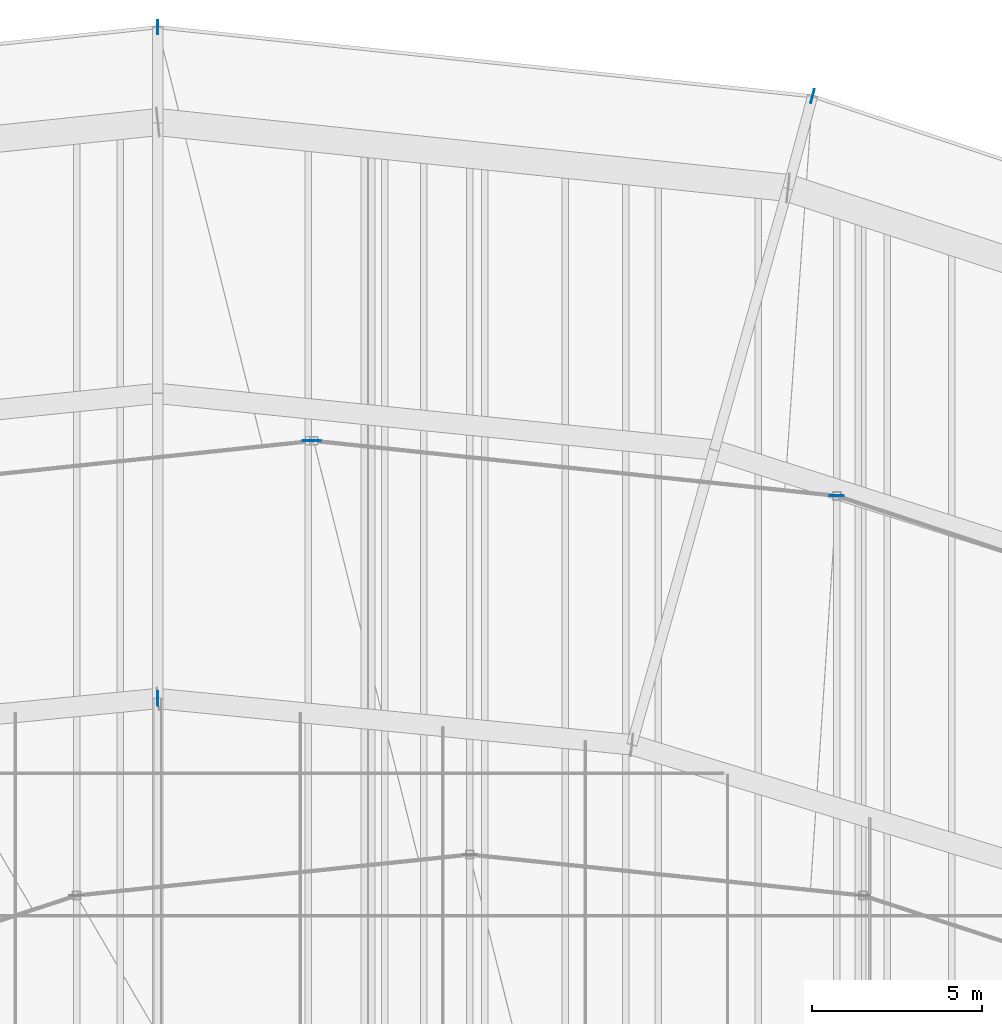
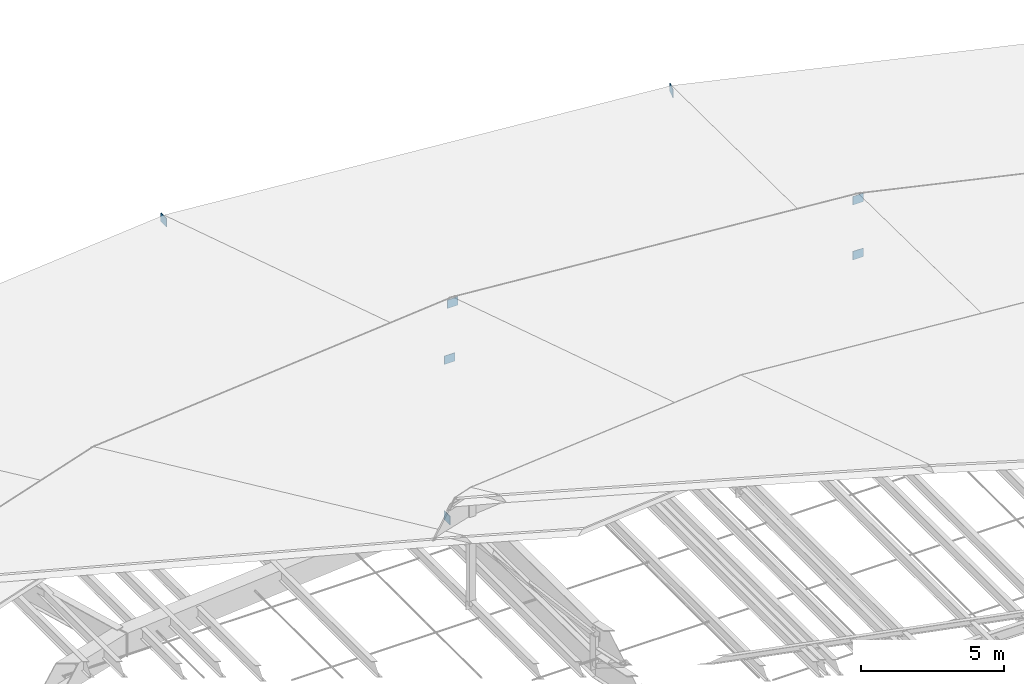
# One storey, part 179 of 184: 7 plates.
"""IFC4 building model written with IfcOpenShell, lengths in metres."""

from ifc_helpers import new_model, si_unit, direction, frame, origin, origin_2d, place, context, subcontext, project, spatial, rectangle, extrude, material, layer, layer_set, type_object, element, save


model = new_model("IFC4")

# Units and contexts
model_context = context("Model", 3, precision=1e-05, world=origin(), true_north=direction((0.0, 1.0)))
body_context = subcontext(model_context, "Body", "Model", "MODEL_VIEW")
ifc_project = project(units=[si_unit("LENGTHUNIT", "METRE"), si_unit("AREAUNIT", "SQUARE_METRE"), si_unit("VOLUMEUNIT", "CUBIC_METRE"), si_unit("PLANEANGLEUNIT", "RADIAN"), si_unit("MASSUNIT", "GRAM", prefix="KILO")], contexts=[model_context])

# Site, building, storey
site_placement = place(None, origin())
site = spatial("IfcSite", under=ifc_project, at=site_placement, CompositionType="ELEMENT")
building_placement = place(site_placement, origin())
building = spatial("IfcBuilding", under=site, at=building_placement, Name="Kalgoora Escarpment Arena", CompositionType="ELEMENT")
storey_placement = place(building_placement, frame((0.0, 0.0, 27.60009765625)))
storey = spatial("IfcBuildingStorey", under=building, at=storey_placement, Name="Roof Level", CompositionType="ELEMENT", Elevation=27.60009765625)

# Plates
ifc_material = material(Name="Structural steel Grade 350 (350 MPa)", Category="steel")
ifc_layer = layer(ifc_material, 0.02490234375)
ifc_layer_set = layer_set([ifc_layer], Name="PLT-GUSSET-25")
plate_type = type_object("IfcPlateType", Name="PLT-GUSSET-25", PredefinedType="USERDEFINED", material=ifc_layer_set)
for number, where, z_axis, x_axis, name in (
    (1, (92.39990234375, 104.0, -1.88037109375), (0.0, 0.0, 1.0), (0.0, -1.0, 0.0), "Brace and post end gusset plate 089"),
    (2, (111.7080078125, 121.762451171875, -1.18017578125), (0.0, 0.0, 1.0), (0.258819045103, 0.965925826289, 0.0), "Brace and post end gusset plate 160"),
    (3, (92.39990234375, 123.800048828125, -1.18017578125), (0.0, 0.0, 1.0), (0.0, 1.0, 0.0), "Brace and post end gusset plate 161"),
    (4, (112.425537109375, 109.97802734375, -1.26025390625), (0.0, 0.0, 1.0), (1.0, 0.0, 0.0), "Brace and post end gusset plate 189"),
    (5, (112.425537109375, 109.97802734375, 1.0849609375), (0.0, 0.0, 1.0), (1.0, 0.0, 0.0), "Brace and post end gusset plate 190"),
    (6, (96.8798828125, 111.60009765625, -1.26025390625), (0.0, 0.0, 1.0), (1.0, 0.0, 0.0), "Brace and post end gusset plate 191"),
    (7, (97.0, 111.60009765625, 1.0849609375), (0.0, 0.0, 1.0), (1.0, 0.0, 0.0), "Brace and post end gusset plate 192"),
):
    element("IfcPlate", number, at=place(storey_placement, frame(where, z_axis=z_axis, x_axis=x_axis)), inside=storey, type_object=plate_type, Name=name, ObjectType="FLANGE PLATE", PredefinedType="USERDEFINED", context=body_context, shape_type="SweptSolid", body=[
        extrude(rectangle(XDim=0.419921875, YDim=0.02490234375, at=origin_2d()), origin(), (0.0, 0.0, 1.0), 0.360107421875),
    ])

save(model, "model.ifc")
